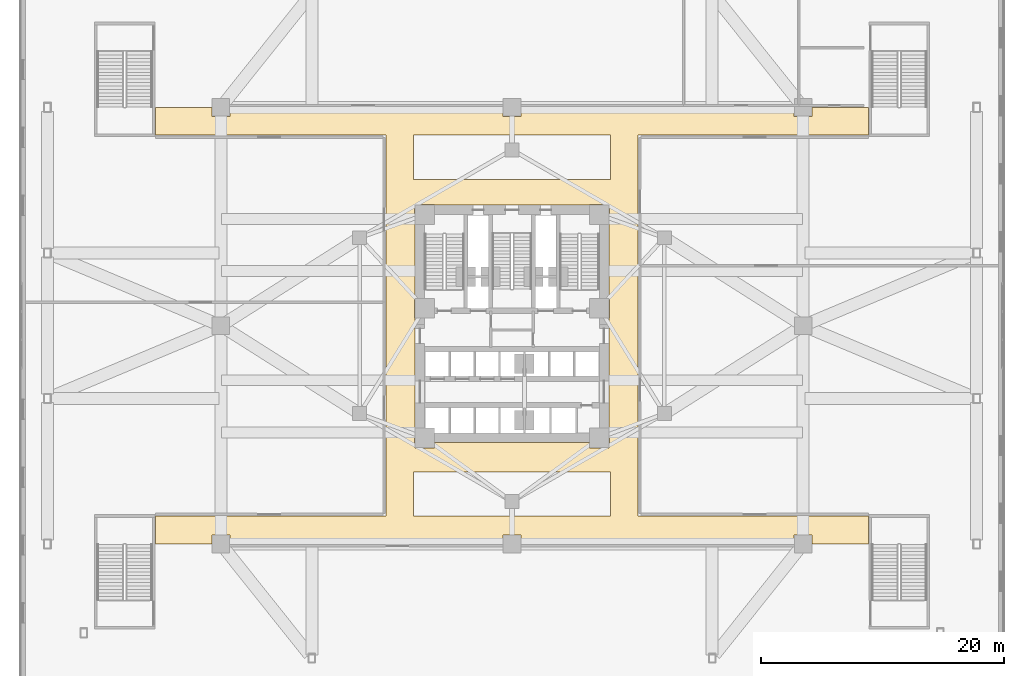
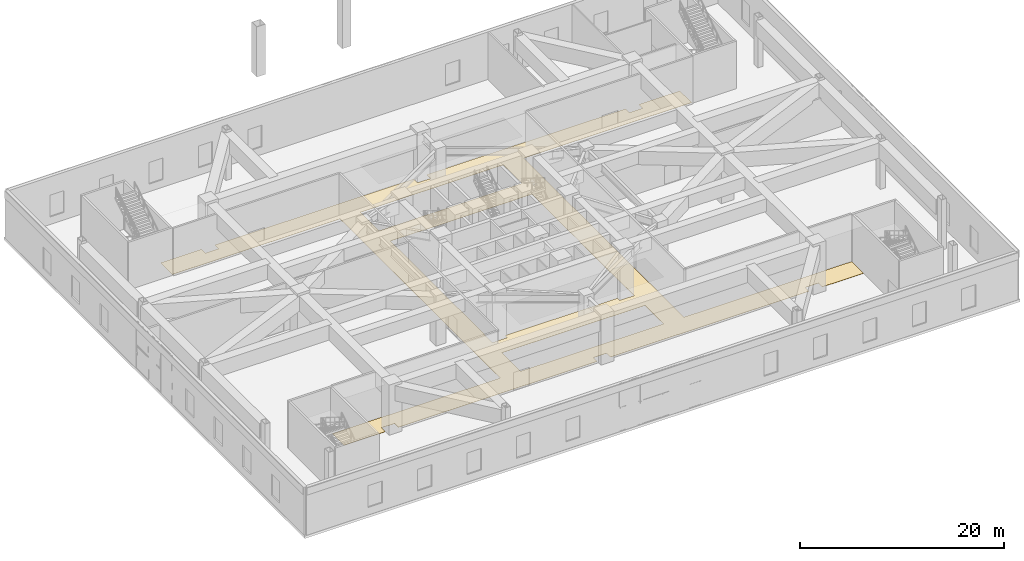
# One storey, part 19 of 24: 1 covering.
"""IFC4 building model written with IfcOpenShell, lengths in metres."""

from ifc_helpers import new_model, si_unit, direction, frame, origin, place, context, subcontext, project, spatial, polyline, outline, extrude, material, layer, layer_set, type_object, element, save


model = new_model("IFC4")

# Units and contexts
model_context = context("Model", 3, precision=1e-05, world=origin(), true_north=direction((0.0, 1.0)))
body_context = subcontext(model_context, "Body", "Model", "MODEL_VIEW")
ifc_project = project(units=[si_unit("LENGTHUNIT", "METRE"), si_unit("AREAUNIT", "SQUARE_METRE"), si_unit("VOLUMEUNIT", "CUBIC_METRE"), si_unit("PLANEANGLEUNIT", "RADIAN"), si_unit("MASSUNIT", "GRAM", prefix="KILO")], contexts=[model_context])

# Site, building, storey
site_placement = place(None, origin())
site = spatial("IfcSite", under=ifc_project, at=site_placement, CompositionType="ELEMENT")
building_placement = place(site_placement, origin())
building = spatial("IfcBuilding", under=site, at=building_placement, Name="Apsidion Concourse Tower", CompositionType="ELEMENT")
storey_placement = place(building_placement, frame((0.0, 0.0, 17.5)))
storey = spatial("IfcBuildingStorey", under=building, at=storey_placement, Name="L03", CompositionType="ELEMENT", Elevation=17.5)

# Covering
ifc_material = material(Name="Honed travertine floor finish", Category="masonry")
ifc_layer = layer(ifc_material, 0.02001953125)
ifc_layer_set = layer_set([ifc_layer], Name="Honed travertine floor finish")
covering_type = type_object("IfcCoveringType", Name="COV-FLOR-20", PredefinedType="FLOORING", material=ifc_layer_set)
covering_placement = place(storey_placement, origin())
element("IfcCovering", 1, at=covering_placement, inside=storey, type_object=covering_type, Name="L03 Honed Travertine Floor Finish 2", PredefinedType="FLOORING", context=body_context, shape_type="SweptSolid", body=[
    extrude(outline(polyline([(8.10009765625, -18.0), (0.7451171875, -18.0), (0.7451171875, -17.27490234375), (0.744873046875, -17.27294921875), (0.74462890625, -17.27099609375), (0.744140625, -17.269287109375), (0.743408203125, -17.267333984375), (0.74267578125, -17.265625), (0.74169921875, -17.263916015625), (0.740478515625, -17.26220703125), (0.739013671875, -17.260986328125), (0.73779296875, -17.259521484375), (0.736083984375, -17.25830078125), (0.734375, -17.25732421875), (0.732666015625, -17.256591796875), (0.730712890625, -17.255859375), (0.72900390625, -17.25537109375), (0.72705078125, -17.255126953125), (0.72509765625, -17.2548828125), (-0.72509765625, -17.2548828125), (-0.72705078125, -17.255126953125), (-0.72900390625, -17.25537109375), (-0.730712890625, -17.255859375), (-0.732666015625, -17.256591796875), (-0.734375, -17.25732421875), (-0.736083984375, -17.25830078125), (-0.73779296875, -17.259521484375), (-0.739013671875, -17.260986328125), (-0.740478515625, -17.26220703125), (-0.74169921875, -17.263916015625), (-0.74267578125, -17.265625), (-0.743408203125, -17.267333984375), (-0.744140625, -17.269287109375), (-0.74462890625, -17.27099609375), (-0.744873046875, -17.27294921875), (-0.7451171875, -17.27490234375), (-0.7451171875, -18.0), (-8.10009765625, -18.0), (-10.39990234375, -18.0), (-23.2548828125, -18.0), (-23.2548828125, -17.27490234375), (-23.255126953125, -17.27294921875), (-23.25537109375, -17.27099609375), (-23.255859375, -17.269287109375), (-23.256591796875, -17.267333984375), (-23.25732421875, -17.265625), (-23.25830078125, -17.263916015625), (-23.259521484375, -17.26220703125), (-23.260986328125, -17.260986328125), (-23.26220703125, -17.259521484375), (-23.263916015625, -17.25830078125), (-23.265625, -17.25732421875), (-23.267333984375, -17.256591796875), (-23.269287109375, -17.255859375), (-23.27099609375, -17.25537109375), (-23.27294921875, -17.255126953125), (-23.27490234375, -17.2548828125), (-24.72509765625, -17.2548828125), (-24.72705078125, -17.255126953125), (-24.72900390625, -17.25537109375), (-24.730712890625, -17.255859375), (-24.732666015625, -17.256591796875), (-24.734375, -17.25732421875), (-24.736083984375, -17.25830078125), (-24.73779296875, -17.259521484375), (-24.739013671875, -17.260986328125), (-24.740478515625, -17.26220703125), (-24.74169921875, -17.263916015625), (-24.74267578125, -17.265625), (-24.743408203125, -17.267333984375), (-24.744140625, -17.269287109375), (-24.74462890625, -17.27099609375), (-24.744873046875, -17.27294921875), (-24.7451171875, -17.27490234375), (-24.7451171875, -18.0), (-29.39990234375, -18.0), (-29.39990234375, -15.699951171875), (-10.39990234375, -15.699951171875), (-10.39990234375, -12.050048828125), (-10.39990234375, 12.050048828125), (-10.39990234375, 15.699951171875), (-29.39990234375, 15.699951171875), (-29.39990234375, 18.0), (-24.7451171875, 18.0), (-24.7451171875, 17.27490234375), (-24.744873046875, 17.27294921875), (-24.74462890625, 17.27099609375), (-24.744140625, 17.269287109375), (-24.743408203125, 17.267333984375), (-24.74267578125, 17.265625), (-24.74169921875, 17.263916015625), (-24.740478515625, 17.26220703125), (-24.739013671875, 17.260986328125), (-24.73779296875, 17.259521484375), (-24.736083984375, 17.25830078125), (-24.734375, 17.25732421875), (-24.732666015625, 17.256591796875), (-24.730712890625, 17.255859375), (-24.72900390625, 17.25537109375), (-24.72705078125, 17.255126953125), (-24.72509765625, 17.2548828125), (-23.27490234375, 17.2548828125), (-23.27294921875, 17.255126953125), (-23.27099609375, 17.25537109375), (-23.269287109375, 17.255859375), (-23.267333984375, 17.256591796875), (-23.265625, 17.25732421875), (-23.263916015625, 17.25830078125), (-23.26220703125, 17.259521484375), (-23.260986328125, 17.260986328125), (-23.259521484375, 17.26220703125), (-23.25830078125, 17.263916015625), (-23.25732421875, 17.265625), (-23.256591796875, 17.267333984375), (-23.255859375, 17.269287109375), (-23.25537109375, 17.27099609375), (-23.255126953125, 17.27294921875), (-23.2548828125, 17.27490234375), (-23.2548828125, 18.0), (-10.39990234375, 18.0), (-8.10009765625, 18.0), (-0.7451171875, 18.0), (-0.7451171875, 17.27490234375), (-0.744873046875, 17.27294921875), (-0.74462890625, 17.27099609375), (-0.744140625, 17.269287109375), (-0.743408203125, 17.267333984375), (-0.74267578125, 17.265625), (-0.74169921875, 17.263916015625), (-0.740478515625, 17.26220703125), (-0.739013671875, 17.260986328125), (-0.73779296875, 17.259521484375), (-0.736083984375, 17.25830078125), (-0.734375, 17.25732421875), (-0.732666015625, 17.256591796875), (-0.730712890625, 17.255859375), (-0.72900390625, 17.25537109375), (-0.72705078125, 17.255126953125), (-0.72509765625, 17.2548828125), (0.72509765625, 17.2548828125), (0.72705078125, 17.255126953125), (0.72900390625, 17.25537109375), (0.730712890625, 17.255859375), (0.732666015625, 17.256591796875), (0.734375, 17.25732421875), (0.736083984375, 17.25830078125), (0.73779296875, 17.259521484375), (0.739013671875, 17.260986328125), (0.740478515625, 17.26220703125), (0.74169921875, 17.263916015625), (0.74267578125, 17.265625), (0.743408203125, 17.267333984375), (0.744140625, 17.269287109375), (0.74462890625, 17.27099609375), (0.744873046875, 17.27294921875), (0.7451171875, 17.27490234375), (0.7451171875, 18.0), (8.10009765625, 18.0), (10.39990234375, 18.0), (23.2548828125, 18.0), (23.2548828125, 17.27490234375), (23.255126953125, 17.27294921875), (23.25537109375, 17.27099609375), (23.255859375, 17.269287109375), (23.256591796875, 17.267333984375), (23.25732421875, 17.265625), (23.25830078125, 17.263916015625), (23.259521484375, 17.26220703125), (23.260986328125, 17.260986328125), (23.26220703125, 17.259521484375), (23.263916015625, 17.25830078125), (23.265625, 17.25732421875), (23.267333984375, 17.256591796875), (23.269287109375, 17.255859375), (23.27099609375, 17.25537109375), (23.27294921875, 17.255126953125), (23.27490234375, 17.2548828125), (24.72509765625, 17.2548828125), (24.72705078125, 17.255126953125), (24.72900390625, 17.25537109375), (24.730712890625, 17.255859375), (24.732666015625, 17.256591796875), (24.734375, 17.25732421875), (24.736083984375, 17.25830078125), (24.73779296875, 17.259521484375), (24.739013671875, 17.260986328125), (24.740478515625, 17.26220703125), (24.74169921875, 17.263916015625), (24.74267578125, 17.265625), (24.743408203125, 17.267333984375), (24.744140625, 17.269287109375), (24.74462890625, 17.27099609375), (24.744873046875, 17.27294921875), (24.7451171875, 17.27490234375), (24.7451171875, 18.0), (29.39990234375, 18.0), (29.39990234375, 15.699951171875), (10.39990234375, 15.699951171875), (10.39990234375, 12.050048828125), (10.39990234375, -12.050048828125), (10.39990234375, -15.699951171875), (29.39990234375, -15.699951171875), (29.39990234375, -18.0), (24.7451171875, -18.0), (24.7451171875, -17.27490234375), (24.744873046875, -17.27294921875), (24.74462890625, -17.27099609375), (24.744140625, -17.269287109375), (24.743408203125, -17.267333984375), (24.74267578125, -17.265625), (24.74169921875, -17.263916015625), (24.740478515625, -17.26220703125), (24.739013671875, -17.260986328125), (24.73779296875, -17.259521484375), (24.736083984375, -17.25830078125), (24.734375, -17.25732421875), (24.732666015625, -17.256591796875), (24.730712890625, -17.255859375), (24.72900390625, -17.25537109375), (24.72705078125, -17.255126953125), (24.72509765625, -17.2548828125), (23.27490234375, -17.2548828125), (23.27294921875, -17.255126953125), (23.27099609375, -17.25537109375), (23.269287109375, -17.255859375), (23.267333984375, -17.256591796875), (23.265625, -17.25732421875), (23.263916015625, -17.25830078125), (23.26220703125, -17.259521484375), (23.260986328125, -17.260986328125), (23.259521484375, -17.26220703125), (23.25830078125, -17.263916015625), (23.25732421875, -17.265625), (23.256591796875, -17.267333984375), (23.255859375, -17.269287109375), (23.25537109375, -17.27099609375), (23.255126953125, -17.27294921875), (23.2548828125, -17.27490234375), (23.2548828125, -18.0), (10.39990234375, -18.0), (8.10009765625, -18.0)]), holes=[polyline([(8.10009765625, -12.050048828125), (-8.10009765625, -12.050048828125), (-8.10009765625, -15.699951171875), (8.10009765625, -15.699951171875), (8.10009765625, -12.050048828125)]), polyline([(-8.10009765625, 15.699951171875), (-8.10009765625, 12.050048828125), (8.10009765625, 12.050048828125), (8.10009765625, 15.699951171875), (-8.10009765625, 15.699951171875)]), polyline([(6.3798828125, -9.64990234375), (6.3798828125, -10.050048828125), (6.380126953125, -10.052001953125), (6.38037109375, -10.053955078125), (6.380859375, -10.055908203125), (6.381591796875, -10.0576171875), (6.38232421875, -10.059326171875), (6.38330078125, -10.06103515625), (6.384521484375, -10.062744140625), (6.385986328125, -10.064208984375), (6.38720703125, -10.0654296875), (6.388916015625, -10.066650390625), (6.390625, -10.067626953125), (6.392333984375, -10.068603515625), (6.394287109375, -10.069091796875), (6.39599609375, -10.069580078125), (6.39794921875, -10.06982421875), (6.39990234375, -10.070068359375), (8.0, -10.070068359375), (8.001953125, -10.06982421875), (8.00390625, -10.069580078125), (8.005859375, -10.069091796875), (8.0078125, -10.068603515625), (8.009521484375, -10.067626953125), (8.010986328125, -10.066650390625), (8.0126953125, -10.0654296875), (8.01416015625, -10.064208984375), (8.015380859375, -10.062744140625), (8.0166015625, -10.06103515625), (8.017578125, -10.059326171875), (8.0185546875, -10.0576171875), (8.01904296875, -10.055908203125), (8.01953125, -10.053955078125), (8.02001953125, -10.052001953125), (8.02001953125, -10.050048828125), (8.02001953125, -8.449951171875), (8.02001953125, -8.447998046875), (8.01953125, -8.446044921875), (8.01904296875, -8.444091796875), (8.0185546875, -8.4423828125), (8.017578125, -8.440673828125), (8.0166015625, -8.43896484375), (8.015380859375, -8.437255859375), (8.01416015625, -8.435791015625), (8.0126953125, -8.4345703125), (8.010986328125, -8.433349609375), (8.009521484375, -8.432373046875), (8.0078125, -8.431396484375), (8.005859375, -8.430908203125), (8.00390625, -8.430419921875), (8.001953125, -8.43017578125), (8.0, -8.429931640625), (8.0, 0.6298828125), (8.001953125, 0.630126953125), (8.00390625, 0.63037109375), (8.005859375, 0.630859375), (8.0078125, 0.631591796875), (8.009521484375, 0.63232421875), (8.010986328125, 0.63330078125), (8.0126953125, 0.634521484375), (8.01416015625, 0.635986328125), (8.015380859375, 0.63720703125), (8.0166015625, 0.638916015625), (8.017578125, 0.640625), (8.0185546875, 0.642333984375), (8.01904296875, 0.644287109375), (8.01953125, 0.64599609375), (8.02001953125, 0.64794921875), (8.02001953125, 0.64990234375), (8.02001953125, 2.25), (8.02001953125, 2.251953125), (8.01953125, 2.25390625), (8.01904296875, 2.255859375), (8.0185546875, 2.2578125), (8.017578125, 2.259521484375), (8.0166015625, 2.260986328125), (8.015380859375, 2.2626953125), (8.01416015625, 2.26416015625), (8.0126953125, 2.265380859375), (8.010986328125, 2.2666015625), (8.009521484375, 2.267578125), (8.0078125, 2.2685546875), (8.005859375, 2.26904296875), (8.00390625, 2.26953125), (8.001953125, 2.27001953125), (8.0, 2.27001953125), (8.0, 8.330078125), (8.001953125, 8.330078125), (8.00390625, 8.330322265625), (8.005859375, 8.330810546875), (8.0078125, 8.33154296875), (8.009521484375, 8.33251953125), (8.010986328125, 8.33349609375), (8.0126953125, 8.33447265625), (8.01416015625, 8.3359375), (8.015380859375, 8.33740234375), (8.0166015625, 8.3388671875), (8.017578125, 8.340576171875), (8.0185546875, 8.34228515625), (8.01904296875, 8.34423828125), (8.01953125, 8.34619140625), (8.02001953125, 8.347900390625), (8.02001953125, 8.35009765625), (8.02001953125, 9.949951171875), (8.02001953125, 9.951904296875), (8.01953125, 9.953857421875), (8.01904296875, 9.955810546875), (8.0185546875, 9.957763671875), (8.017578125, 9.95947265625), (8.0166015625, 9.961181640625), (8.015380859375, 9.962646484375), (8.01416015625, 9.964111328125), (8.0126953125, 9.965576171875), (8.010986328125, 9.966552734375), (8.009521484375, 9.967529296875), (8.0078125, 9.968505859375), (8.005859375, 9.968994140625), (8.00390625, 9.969482421875), (8.001953125, 9.969970703125), (8.0, 9.969970703125), (6.39990234375, 9.969970703125), (6.39794921875, 9.969970703125), (6.39599609375, 9.969482421875), (6.394287109375, 9.968994140625), (6.392333984375, 9.968505859375), (6.390625, 9.967529296875), (6.388916015625, 9.966552734375), (6.38720703125, 9.965576171875), (6.385986328125, 9.964111328125), (6.384521484375, 9.962646484375), (6.38330078125, 9.961181640625), (6.38232421875, 9.95947265625), (6.381591796875, 9.957763671875), (6.380859375, 9.955810546875), (6.38037109375, 9.953857421875), (6.380126953125, 9.951904296875), (6.3798828125, 9.949951171875), (6.3798828125, 9.949951171875), (-6.3798828125, 9.949951171875), (-6.3798828125, 9.949951171875), (-6.380126953125, 9.951904296875), (-6.38037109375, 9.953857421875), (-6.380859375, 9.955810546875), (-6.381591796875, 9.957763671875), (-6.38232421875, 9.95947265625), (-6.38330078125, 9.961181640625), (-6.384521484375, 9.962646484375), (-6.385986328125, 9.964111328125), (-6.38720703125, 9.965576171875), (-6.388916015625, 9.966552734375), (-6.390625, 9.967529296875), (-6.392333984375, 9.968505859375), (-6.394287109375, 9.968994140625), (-6.39599609375, 9.969482421875), (-6.39794921875, 9.969970703125), (-6.39990234375, 9.969970703125), (-8.0, 9.969970703125), (-8.001953125, 9.969970703125), (-8.00390625, 9.969482421875), (-8.005859375, 9.968994140625), (-8.0078125, 9.968505859375), (-8.009521484375, 9.967529296875), (-8.010986328125, 9.966552734375), (-8.0126953125, 9.965576171875), (-8.01416015625, 9.964111328125), (-8.015380859375, 9.962646484375), (-8.0166015625, 9.961181640625), (-8.017578125, 9.95947265625), (-8.0185546875, 9.957763671875), (-8.01904296875, 9.955810546875), (-8.01953125, 9.953857421875), (-8.02001953125, 9.951904296875), (-8.02001953125, 9.949951171875), (-8.02001953125, 8.35009765625), (-8.02001953125, 8.347900390625), (-8.01953125, 8.34619140625), (-8.01904296875, 8.34423828125), (-8.0185546875, 8.34228515625), (-8.017578125, 8.340576171875), (-8.0166015625, 8.3388671875), (-8.015380859375, 8.33740234375), (-8.01416015625, 8.3359375), (-8.0126953125, 8.33447265625), (-8.010986328125, 8.33349609375), (-8.009521484375, 8.33251953125), (-8.0078125, 8.33154296875), (-8.005859375, 8.330810546875), (-8.00390625, 8.330322265625), (-8.001953125, 8.330078125), (-8.0, 8.330078125), (-8.0, 2.27001953125), (-8.001953125, 2.27001953125), (-8.00390625, 2.26953125), (-8.005859375, 2.26904296875), (-8.0078125, 2.2685546875), (-8.009521484375, 2.267578125), (-8.010986328125, 2.2666015625), (-8.0126953125, 2.265380859375), (-8.01416015625, 2.26416015625), (-8.015380859375, 2.2626953125), (-8.0166015625, 2.260986328125), (-8.017578125, 2.259521484375), (-8.0185546875, 2.2578125), (-8.01904296875, 2.255859375), (-8.01953125, 2.25390625), (-8.02001953125, 2.251953125), (-8.02001953125, 2.25), (-8.02001953125, 0.64990234375), (-8.02001953125, 0.64794921875), (-8.01953125, 0.64599609375), (-8.01904296875, 0.644287109375), (-8.0185546875, 0.642333984375), (-8.017578125, 0.640625), (-8.0166015625, 0.638916015625), (-8.015380859375, 0.63720703125), (-8.01416015625, 0.635986328125), (-8.0126953125, 0.634521484375), (-8.010986328125, 0.63330078125), (-8.009521484375, 0.63232421875), (-8.0078125, 0.631591796875), (-8.005859375, 0.630859375), (-8.00390625, 0.63037109375), (-8.001953125, 0.630126953125), (-8.0, 0.6298828125), (-8.0, -8.429931640625), (-8.001953125, -8.43017578125), (-8.00390625, -8.430419921875), (-8.005859375, -8.430908203125), (-8.0078125, -8.431396484375), (-8.009521484375, -8.432373046875), (-8.010986328125, -8.433349609375), (-8.0126953125, -8.4345703125), (-8.01416015625, -8.435791015625), (-8.015380859375, -8.437255859375), (-8.0166015625, -8.43896484375), (-8.017578125, -8.440673828125), (-8.0185546875, -8.4423828125), (-8.01904296875, -8.444091796875), (-8.01953125, -8.446044921875), (-8.02001953125, -8.447998046875), (-8.02001953125, -8.449951171875), (-8.02001953125, -10.050048828125), (-8.02001953125, -10.052001953125), (-8.01953125, -10.053955078125), (-8.01904296875, -10.055908203125), (-8.0185546875, -10.0576171875), (-8.017578125, -10.059326171875), (-8.0166015625, -10.06103515625), (-8.015380859375, -10.062744140625), (-8.01416015625, -10.064208984375), (-8.0126953125, -10.0654296875), (-8.010986328125, -10.066650390625), (-8.009521484375, -10.067626953125), (-8.0078125, -10.068603515625), (-8.005859375, -10.069091796875), (-8.00390625, -10.069580078125), (-8.001953125, -10.06982421875), (-8.0, -10.070068359375), (-6.39990234375, -10.070068359375), (-6.39794921875, -10.06982421875), (-6.39599609375, -10.069580078125), (-6.394287109375, -10.069091796875), (-6.392333984375, -10.068603515625), (-6.390625, -10.067626953125), (-6.388916015625, -10.066650390625), (-6.38720703125, -10.0654296875), (-6.385986328125, -10.064208984375), (-6.384521484375, -10.062744140625), (-6.38330078125, -10.06103515625), (-6.38232421875, -10.059326171875), (-6.381591796875, -10.0576171875), (-6.380859375, -10.055908203125), (-6.38037109375, -10.053955078125), (-6.380126953125, -10.052001953125), (-6.3798828125, -10.050048828125), (-6.3798828125, -9.64990234375), (6.3798828125, -9.64990234375)])]), origin(), (0.0, 0.0, 1.0), 0.02001953125),
])

save(model, "model.ifc")
